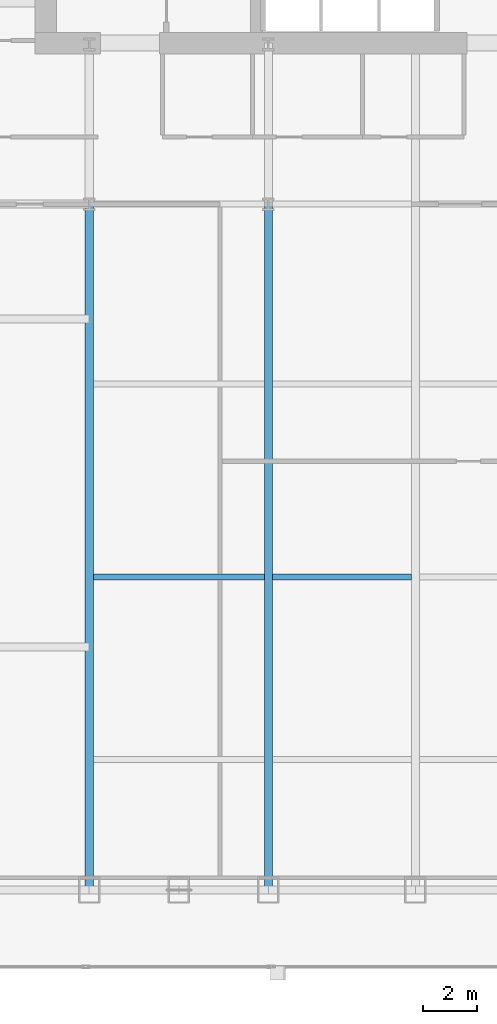
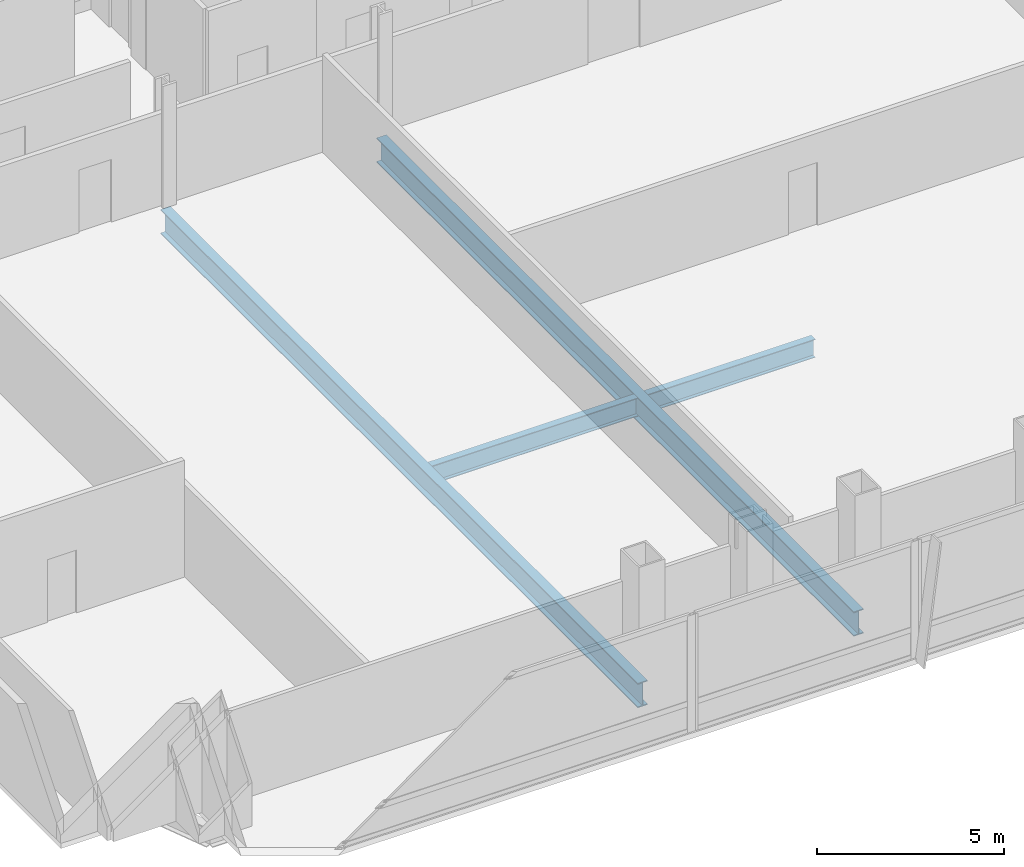
# One storey, part 9 of 33: 4 beams.
"""IFC4 building model written with IfcOpenShell, lengths in metres."""

import ifcopenshell
import ifcopenshell.guid

model = None  # the IFC model being written
_history = None  # IfcOwnerHistory: only IFC2X3 demands one
_inside = {}  # id of a spatial element -> (the spatial element, [elements in it])
_under = {}  # id of a project, library or spatial element -> (it, [spatial elements below it])
_declared = {}  # id of a project -> (the project, [libraries it declares])
_typed = {}  # id of a type object -> (the type object, [elements of that type])
_made_of = {}  # id of a material, layer set ... -> (it, [elements and type objects made of it])


def new_model(schema):
    """Start an empty IFC model of exactly this schema.

    Asked for "IFC4X3", IfcOpenShell would pick the latest addendum, in which some entities
    have other attributes; the version numbers below select the first issue.
    IFC2X3 requires an IfcOwnerHistory on every rooted entity: one is made here for all.
    """
    global model, _history
    if schema == "IFC4X3":
        model = ifcopenshell.file(schema_version=(4, 3, 0, 0))
    else:
        model = ifcopenshell.file(schema=schema)
    _inside.clear()
    _under.clear()
    _declared.clear()
    _typed.clear()
    _made_of.clear()
    _history = None
    if model.schema == "IFC2X3":
        org = make("IfcOrganization", Name="unknown")
        user = make(
            "IfcPersonAndOrganization",
            ThePerson=make("IfcPerson", FamilyName="unknown"),
            TheOrganization=org,
        )
        app = make(
            "IfcApplication",
            ApplicationDeveloper=org,
            Version="unknown",
            ApplicationFullName="unknown",
            ApplicationIdentifier="unknown",
        )
        _history = make(
            "IfcOwnerHistory",
            OwningUser=user,
            OwningApplication=app,
            ChangeAction="ADDED",
            CreationDate=0,
        )
    return model


def make(cls, **values):
    """One entity of the class cls with the attributes given. An attribute that is None is left unset."""
    return model.create_entity(
        cls, **{name: value for name, value in values.items() if value is not None}
    )


def rooted(cls, **values):
    """An entity with a GlobalId (a new one), such as an element, a storey or a relation."""
    return make(cls, GlobalId=ifcopenshell.guid.new(), OwnerHistory=_history, **values)


def si_unit(unit_type, name, prefix=None):
    """IfcSIUnit, for example si_unit("LENGTHUNIT", "METRE", prefix="MILLI")."""
    return make("IfcSIUnit", UnitType=unit_type, Prefix=prefix, Name=name)


def assignment(units):
    """IfcUnitAssignment: the units of a project."""
    return None if units is None else make("IfcUnitAssignment", Units=units)


def point(xyz):
    """IfcCartesianPoint."""
    return None if xyz is None else make("IfcCartesianPoint", Coordinates=xyz)


def direction(xyz):
    """IfcDirection."""
    return None if xyz is None else make("IfcDirection", DirectionRatios=xyz)


def frame(location, z_axis=None, x_axis=None):
    """IfcAxis2Placement3D, a coordinate frame: its origin and axes. An axis left out is left unset."""
    return make(
        "IfcAxis2Placement3D",
        Location=point(location),
        Axis=direction(z_axis),
        RefDirection=direction(x_axis),
    )


def frame_2d(location, x_axis=None):
    """IfcAxis2Placement2D, a coordinate frame in the plane: its origin and x axis."""
    return make(
        "IfcAxis2Placement2D", Location=point(location), RefDirection=direction(x_axis)
    )


def origin():
    """The frame at (0, 0, 0) with its axes left unset."""
    return frame((0.0, 0.0, 0.0))


def origin_2d():
    """The frame at (0, 0) in the plane with its x axis left unset."""
    return frame_2d((0.0, 0.0))


def place(relative_to, where):
    """IfcLocalPlacement: puts the frame where relative to a parent placement (None: the world)."""
    return make(
        "IfcLocalPlacement", PlacementRelTo=relative_to, RelativePlacement=where
    )


def context(
    kind, dimensions, precision=None, world=None, true_north=None, identifier=None
):
    """IfcGeometricRepresentationContext, for example the 3D "Model" context."""
    return make(
        "IfcGeometricRepresentationContext",
        ContextIdentifier=identifier,
        ContextType=kind,
        CoordinateSpaceDimension=dimensions,
        Precision=precision,
        WorldCoordinateSystem=world,
        TrueNorth=true_north,
    )


def subcontext(parent, identifier, kind, view, scale=None):
    """IfcGeometricRepresentationSubContext, for example "Body" below "Model"."""
    return make(
        "IfcGeometricRepresentationSubContext",
        ContextIdentifier=identifier,
        ContextType=kind,
        ParentContext=parent,
        TargetScale=scale,
        TargetView=view,
    )


def project(units=None, contexts=None):
    """IfcProject with its units and contexts."""
    return rooted(
        "IfcProject",
        Name="project",
        RepresentationContexts=contexts,
        UnitsInContext=assignment(units),
    )


def spatial(cls, under=None, at=None, **own):
    """A site, building, storey or space (cls), placed at a placement, below another one or the project."""
    s = rooted(cls, ObjectPlacement=at, **own)
    if under is not None:
        _under.setdefault(under.id(), (under, []))[1].append(s)
    return s


def profile(cls, at=None, kind="AREA", **sizes):
    """A parametric profile (cls). Its sizes go by their IFC names, for example OverallWidth=200.0."""
    return make(cls, ProfileType=kind, Position=at, **sizes)


def i_section(**sizes):
    """IfcIShapeProfileDef."""
    return profile("IfcIShapeProfileDef", **sizes)


def extrude(swept, where, along, depth):
    """IfcExtrudedAreaSolid: the profile swept, set in the frame where, extruded along a direction by depth."""
    return make(
        "IfcExtrudedAreaSolid",
        SweptArea=swept,
        Position=where,
        ExtrudedDirection=direction(along),
        Depth=depth,
    )


def shape(context_of_items, identifier, shape_type, items):
    """IfcShapeRepresentation: the items that make up one representation, for example the "Body"."""
    return make(
        "IfcShapeRepresentation",
        ContextOfItems=context_of_items,
        RepresentationIdentifier=identifier,
        RepresentationType=shape_type,
        Items=items,
    )


def material(Name=None, Category=None):
    """IfcMaterial."""
    return make("IfcMaterial", Name=Name, Category=Category)


def material_profile(
    of_material, cross_section, Name=None, Category=None, Priority=None
):
    """IfcMaterialProfile: a cross section and its material."""
    return make(
        "IfcMaterialProfile",
        Name=Name,
        Material=of_material,
        Profile=cross_section,
        Priority=Priority,
        Category=Category,
    )


def profile_set(profiles, Name=None, composite=None):
    """IfcMaterialProfileSet."""
    return make(
        "IfcMaterialProfileSet",
        Name=Name,
        MaterialProfiles=profiles,
        CompositeProfile=composite,
    )


def made_of(thing, what):
    """Note that an element or type object is made of a material, layer set ...; save() writes the relation."""
    if what is not None:
        _made_of.setdefault(what.id(), (what, []))[1].append(thing)
    return thing


def type_object(cls, material=None, **own):
    """A type object (cls), such as IfcWallType, which elements share."""
    return made_of(rooted(cls, **own), material)


def element(
    cls,
    number,
    at=None,
    inside=None,
    cuts=None,
    type_object=None,
    material=None,
    context=None,
    identifier="Body",
    shape_type=None,
    held_by="IfcProductDefinitionShape",
    body=None,
    shapes=None,
    **own,
):
    """One element of the class cls, such as IfcWall. Its Tag is "e" and its number.

    at: its placement. inside: the storey or other place that contains it. cuts: it is an
    opening in that element (IfcRelVoidsElement). A single representation is given by context,
    identifier, shape_type and body (its items); several are given by shapes. held_by: the class
    of the entity that holds the representations. save() writes the other relations.
    """
    e = rooted(cls, Tag="e%d" % number, ObjectPlacement=at, **own)
    if body is not None:
        shapes = [shape(context, identifier, shape_type, body)]
    if shapes is not None:
        e.Representation = make(held_by, Representations=shapes)
    if inside is not None:
        _inside.setdefault(inside.id(), (inside, []))[1].append(e)
    if cuts is not None:
        rooted(
            "IfcRelVoidsElement", RelatingBuildingElement=cuts, RelatedOpeningElement=e
        )
    if type_object is not None:
        _typed.setdefault(type_object.id(), (type_object, []))[1].append(e)
    return made_of(e, material)


def aggregate(whole, parts):
    """IfcRelAggregates: a whole, such as a stair, and the parts it consists of."""
    return rooted("IfcRelAggregates", RelatingObject=whole, RelatedObjects=parts)


def save(model, path):
    """Write the relations noted so far, then the file.

    IfcRelAggregates (storeys below a building ...), IfcRelContainedInSpatialStructure (elements
    in a storey), IfcRelDefinesByType, IfcRelAssociatesMaterial and IfcRelDeclares: one each for
    every whole, place, type object, material and project.
    """
    for whole, parts in _under.values():
        aggregate(whole, parts)
    for where, things in _inside.values():
        rooted(
            "IfcRelContainedInSpatialStructure",
            RelatedElements=things,
            RelatingStructure=where,
        )
    for kind, things in _typed.values():
        rooted("IfcRelDefinesByType", RelatedObjects=things, RelatingType=kind)
    for what, things in _made_of.values():
        rooted("IfcRelAssociatesMaterial", RelatedObjects=things, RelatingMaterial=what)
    for by, libraries in _declared.values():
        rooted("IfcRelDeclares", RelatingContext=by, RelatedDefinitions=libraries)
    model.write(path)


model = new_model("IFC4")

# Units and contexts
model_context = context("Model", 3, precision=1e-05, world=origin(), true_north=direction((0.0, 1.0)))
body_context = subcontext(model_context, "Body", "Model", "MODEL_VIEW")
ifc_project = project(units=[si_unit("LENGTHUNIT", "METRE"), si_unit("AREAUNIT", "SQUARE_METRE"), si_unit("VOLUMEUNIT", "CUBIC_METRE"), si_unit("PLANEANGLEUNIT", "RADIAN"), si_unit("MASSUNIT", "GRAM", prefix="KILO")], contexts=[model_context])

# Site, building, storey
site_placement = place(None, origin())
site = spatial("IfcSite", under=ifc_project, at=site_placement, CompositionType="ELEMENT")
building_placement = place(site_placement, origin())
building = spatial("IfcBuilding", under=site, at=building_placement, Name="Khoronbel Lancet Exchange", CompositionType="ELEMENT")
storey_placement = place(building_placement, frame((0.0, 0.0, 33.800048828125)))
storey = spatial("IfcBuildingStorey", under=building, at=storey_placement, Name="L07", CompositionType="ELEMENT", Elevation=33.800048828125)

# Beams
ifc_material = material(Name="Steel S355", Category="steel")
ifc_material_profile_1 = material_profile(ifc_material, i_section(OverallWidth=0.300048828125, OverallDepth=0.800048828125, WebThickness=0.017578125, FlangeThickness=0.032958984375, at=origin_2d()), Name="HEB 800")
ifc_profile_set_1 = profile_set([ifc_material_profile_1], Name="Steel S355")
beam_type_1 = type_object("IfcBeamType", Name="BM-BG2", PredefinedType="BEAM", material=ifc_profile_set_1)
for number, where, z_axis, x_axis, name in (
    (1, (18.22509765625, 10.14990234375, -0.580078125), (0.0, 1.0, 0.0), (-1.0, 0.0, 0.0), "Level L07 south primary girder GS1"),
    (2, (24.89990234375, 10.14990234375, -0.580078125), (0.0, 1.0, 0.0), (-1.0, 0.0, 0.0), "Level L07 south primary girder GS2"),
):
    element("IfcBeam", number, at=place(storey_placement, frame(where, z_axis=z_axis, x_axis=x_axis)), inside=storey, type_object=beam_type_1, Name=name, PredefinedType="BEAM", context=body_context, shape_type="SweptSolid", body=[
        extrude(i_section(OverallWidth=0.300048828125, OverallDepth=0.800048828125, WebThickness=0.017578125, FlangeThickness=0.032958984375, at=origin_2d()), origin(), (0.0, 0.0, 1.0), 25.550048828125),
    ])
ifc_material_profile_2 = material_profile(ifc_material, i_section(OverallWidth=0.219970703125, OverallDepth=0.60009765625, WebThickness=0.011962890625, FlangeThickness=0.01904296875, at=origin_2d()), Name="IPE 600")
ifc_profile_set_2 = profile_set([ifc_material_profile_2], Name="Steel S355")
beam_type_2 = type_object("IfcBeamType", Name="BM-BJ1", PredefinedType="JOIST", material=ifc_profile_set_2)
beam_1_placement = place(storey_placement, frame((18.375, 21.800048828125, -0.47998046875), z_axis=(1.0, 0.0, 0.0), x_axis=(0.0, 1.0, 0.0)))
element("IfcBeam", 3, at=beam_1_placement, inside=storey, type_object=beam_type_2, Name="Level L07 secondary composite joist J06", PredefinedType="JOIST", context=body_context, shape_type="SweptSolid", body=[
    extrude(i_section(OverallWidth=0.219970703125, OverallDepth=0.60009765625, WebThickness=0.011962890625, FlangeThickness=0.01904296875, at=origin_2d()), origin(), (0.0, 0.0, 1.0), 6.375),
])
beam_2_placement = place(storey_placement, frame((25.050048828125, 21.800048828125, -0.47998046875), z_axis=(1.0, 0.0, 0.0), x_axis=(0.0, 1.0, 0.0)))
element("IfcBeam", 4, at=beam_2_placement, inside=storey, type_object=beam_type_2, Name="Level L07 secondary composite joist J07", PredefinedType="JOIST", context=body_context, shape_type="SweptSolid", body=[
    extrude(i_section(OverallWidth=0.219970703125, OverallDepth=0.60009765625, WebThickness=0.011962890625, FlangeThickness=0.01904296875, at=origin_2d()), origin(), (0.0, 0.0, 1.0), 5.175048828125),
])

save(model, "model.ifc")
